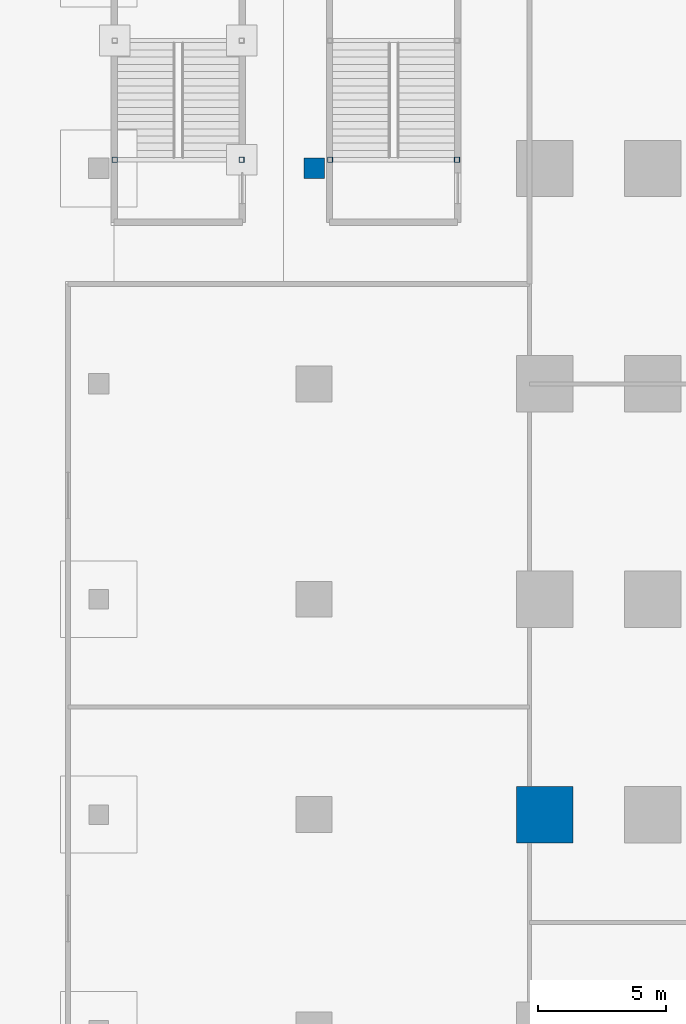
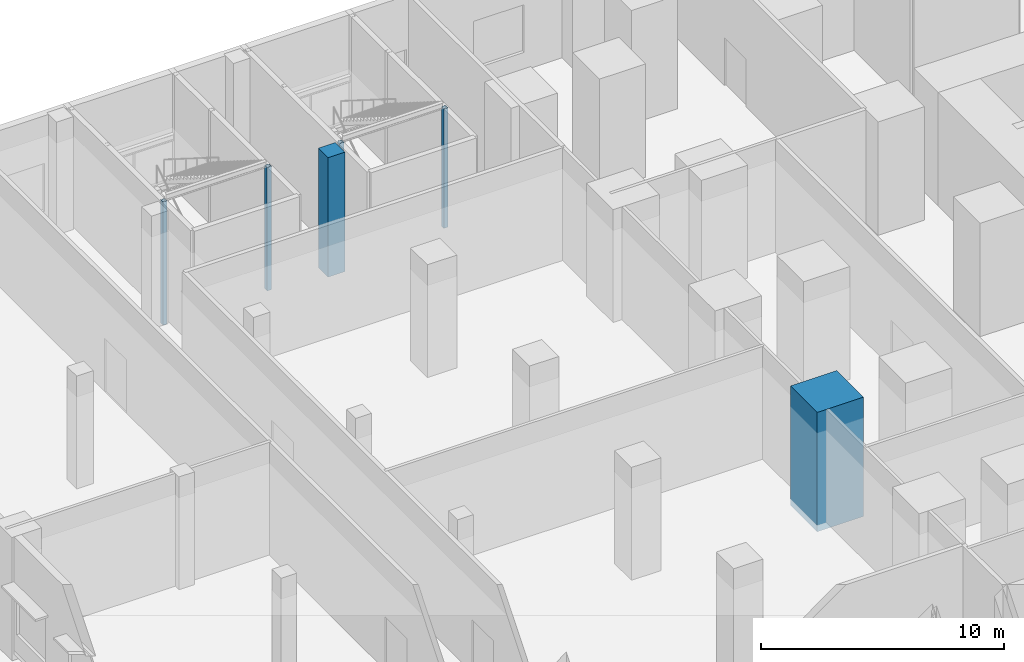
# One storey, part 6 of 26: 6 columns.
"""IFC4 building model written with IfcOpenShell, lengths in metres."""

from ifc_helpers import new_model, si_unit, direction, frame, origin, origin_2d, place, context, subcontext, project, spatial, rectangle, hollow_rectangle, extrude, material, material_profile, profile_set, type_object, element, save


model = new_model("IFC4")

# Units and contexts
model_context = context("Model", 3, precision=1e-05, world=origin(), true_north=direction((0.0, 1.0)))
body_context = subcontext(model_context, "Body", "Model", "MODEL_VIEW")
ifc_project = project(units=[si_unit("LENGTHUNIT", "METRE"), si_unit("AREAUNIT", "SQUARE_METRE"), si_unit("VOLUMEUNIT", "CUBIC_METRE"), si_unit("PLANEANGLEUNIT", "RADIAN"), si_unit("MASSUNIT", "GRAM", prefix="KILO")], contexts=[model_context])

# Site, building, storey
site_placement = place(None, origin())
site = spatial("IfcSite", under=ifc_project, at=site_placement, CompositionType="ELEMENT")
building_placement = place(site_placement, origin())
building = spatial("IfcBuilding", under=site, at=building_placement, Name="Dunama Terrace Hotel", CompositionType="ELEMENT")
storey_placement = place(building_placement, origin())
storey = spatial("IfcBuildingStorey", under=building, at=storey_placement, Name="L00", CompositionType="ELEMENT", Elevation=0.0)

# Columns
ifc_material_1 = material(Name="Concrete C60/75", Category="concrete")
ifc_material_profile_1 = material_profile(ifc_material_1, rectangle(XDim=2.199951171875, YDim=2.199951171875, at=origin_2d()), Name="RC 2200x2200")
ifc_profile_set_1 = profile_set([ifc_material_profile_1], Name="Concrete C60/75")
column_type_1 = type_object("IfcColumnType", Name="Column RC 2200x2200", PredefinedType="COLUMN", material=ifc_profile_set_1)
column_1_placement = place(storey_placement, frame((0.60009765625, 25.199951171875, -0.300048828125), z_axis=(0.0, 0.0, 1.0), x_axis=(1.0, 0.0, 0.0)))
element("IfcColumn", 1, at=column_1_placement, inside=storey, type_object=column_type_1, Name="Column L00 +0.6/+25.2", PredefinedType="COLUMN", context=body_context, shape_type="SweptSolid", body=[
    extrude(rectangle(XDim=2.199951171875, YDim=2.199951171875, at=origin_2d()), origin(), (0.0, 0.0, 1.0), 6.0),
])
ifc_material_2 = material(Name="Concrete C40/50", Category="concrete")
ifc_material_profile_2 = material_profile(ifc_material_2, rectangle(XDim=0.800048828125, YDim=0.800048828125, at=origin_2d()), Name="RC 800x800")
ifc_profile_set_2 = profile_set([ifc_material_profile_2], Name="Concrete C40/50")
column_type_2 = type_object("IfcColumnType", Name="Column RC 800x800", PredefinedType="COLUMN", material=ifc_profile_set_2)
column_2_placement = place(storey_placement, frame((-8.39990234375, 50.39990234375, -0.300048828125), z_axis=(0.0, 0.0, 1.0), x_axis=(1.0, 0.0, 0.0)))
element("IfcColumn", 2, at=column_2_placement, inside=storey, type_object=column_type_2, Name="Column L00 -8.4/+50.4", PredefinedType="COLUMN", context=body_context, shape_type="SweptSolid", body=[
    extrude(rectangle(XDim=0.800048828125, YDim=0.800048828125, at=origin_2d()), origin(), (0.0, 0.0, 1.0), 6.0),
])
ifc_material_3 = material(Name="Steel S355", Category="steel")
ifc_material_profile_3 = material_profile(ifc_material_3, hollow_rectangle(XDim=0.199951171875, YDim=0.199951171875, WallThickness=0.010009765625, at=origin_2d()), Name="SHS 200x200x10")
ifc_profile_set_3 = profile_set([ifc_material_profile_3], Name="Steel S355")
column_type_3 = type_object("IfcColumnType", Name="Stair post SHS 200x200x10", PredefinedType="COLUMN", material=ifc_profile_set_3)
for number, where, z_axis, x_axis, name in (
    (3, (-16.175048828125, 50.742431640625, -0.5), (0.0, 0.0, 1.0), (1.0, 0.0, 0.0), "Stair post P1 L00 -16.18/+50.74"),
    (4, (-11.22509765625, 50.742431640625, -0.5), (0.0, 0.0, 1.0), (1.0, 0.0, 0.0), "Stair post P1 L00 -11.22/+50.74"),
):
    element("IfcColumn", number, at=place(storey_placement, frame(where, z_axis=z_axis, x_axis=x_axis)), inside=storey, type_object=column_type_3, Name=name, PredefinedType="COLUMN", context=body_context, shape_type="SweptSolid", body=[
        extrude(hollow_rectangle(XDim=0.199951171875, YDim=0.199951171875, WallThickness=0.010009765625, at=origin_2d()), origin(), (0.0, 0.0, 1.0), 6.199951171875),
    ])
for number, where, z_axis, x_axis, name in (
    (5, (-7.77490234375, 50.742431640625, -0.300048828125), (0.0, 0.0, 1.0), (1.0, 0.0, 0.0), "Stair post P3 L00 -7.78/+50.74"),
    (6, (-2.824951171875, 50.742431640625, -0.300048828125), (0.0, 0.0, 1.0), (1.0, 0.0, 0.0), "Stair post P3 L00 -2.83/+50.74"),
):
    element("IfcColumn", number, at=place(storey_placement, frame(where, z_axis=z_axis, x_axis=x_axis)), inside=storey, type_object=column_type_3, Name=name, PredefinedType="COLUMN", context=body_context, shape_type="SweptSolid", body=[
        extrude(hollow_rectangle(XDim=0.199951171875, YDim=0.199951171875, WallThickness=0.010009765625, at=origin_2d()), origin(), (0.0, 0.0, 1.0), 6.0),
    ])

save(model, "model.ifc")
